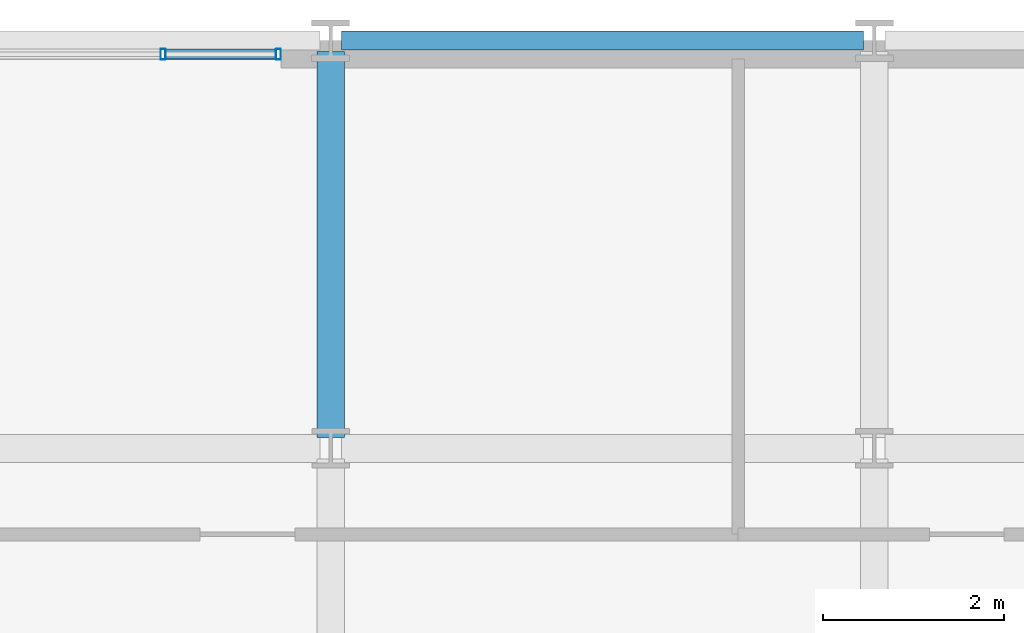
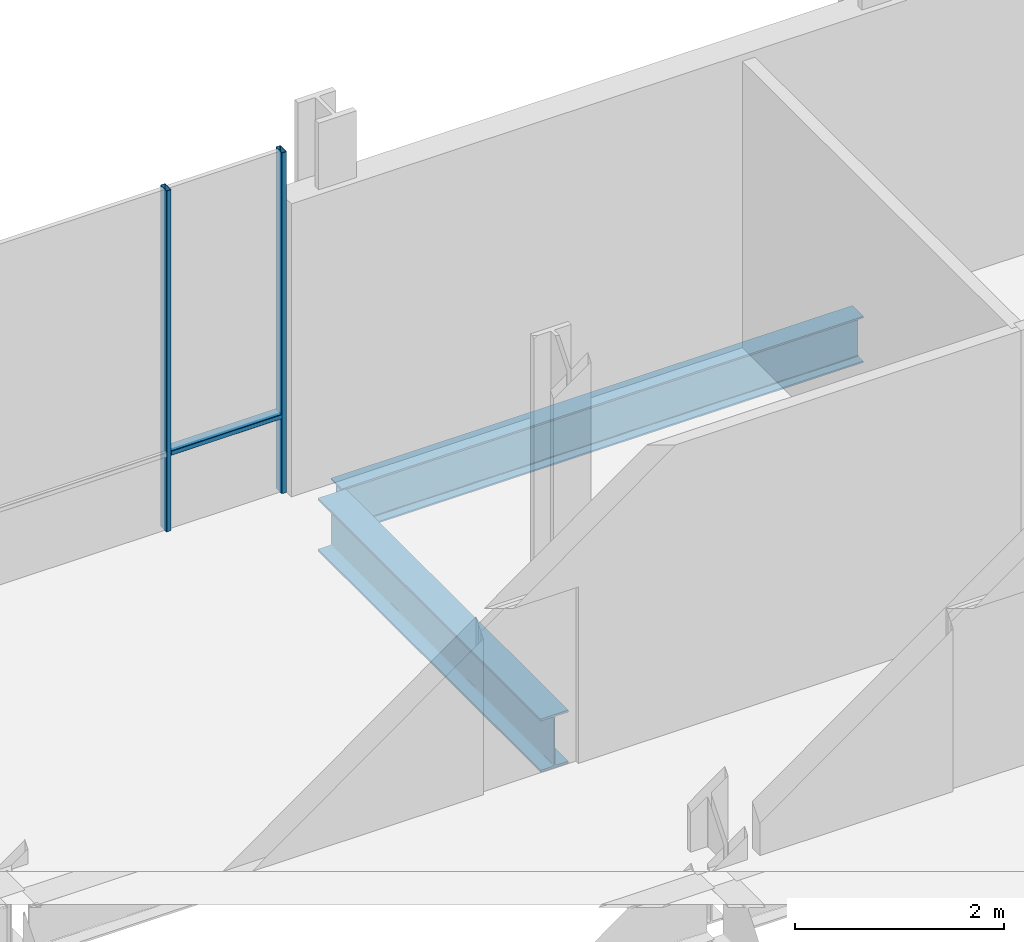
# One storey, part 9 of 32: 3 members, 2 beams, 1 element without a shape of its own.
"""IFC4 building model written with IfcOpenShell, lengths in metres."""

import ifcopenshell
import ifcopenshell.guid

model = None  # the IFC model being written
_history = None  # IfcOwnerHistory: only IFC2X3 demands one
_inside = {}  # id of a spatial element -> (the spatial element, [elements in it])
_under = {}  # id of a project, library or spatial element -> (it, [spatial elements below it])
_declared = {}  # id of a project -> (the project, [libraries it declares])
_typed = {}  # id of a type object -> (the type object, [elements of that type])
_made_of = {}  # id of a material, layer set ... -> (it, [elements and type objects made of it])


def new_model(schema):
    """Start an empty IFC model of exactly this schema.

    Asked for "IFC4X3", IfcOpenShell would pick the latest addendum, in which some entities
    have other attributes; the version numbers below select the first issue.
    IFC2X3 requires an IfcOwnerHistory on every rooted entity: one is made here for all.
    """
    global model, _history
    if schema == "IFC4X3":
        model = ifcopenshell.file(schema_version=(4, 3, 0, 0))
    else:
        model = ifcopenshell.file(schema=schema)
    _inside.clear()
    _under.clear()
    _declared.clear()
    _typed.clear()
    _made_of.clear()
    _history = None
    if model.schema == "IFC2X3":
        org = make("IfcOrganization", Name="unknown")
        user = make(
            "IfcPersonAndOrganization",
            ThePerson=make("IfcPerson", FamilyName="unknown"),
            TheOrganization=org,
        )
        app = make(
            "IfcApplication",
            ApplicationDeveloper=org,
            Version="unknown",
            ApplicationFullName="unknown",
            ApplicationIdentifier="unknown",
        )
        _history = make(
            "IfcOwnerHistory",
            OwningUser=user,
            OwningApplication=app,
            ChangeAction="ADDED",
            CreationDate=0,
        )
    return model


def make(cls, **values):
    """One entity of the class cls with the attributes given. An attribute that is None is left unset."""
    return model.create_entity(
        cls, **{name: value for name, value in values.items() if value is not None}
    )


def rooted(cls, **values):
    """An entity with a GlobalId (a new one), such as an element, a storey or a relation."""
    return make(cls, GlobalId=ifcopenshell.guid.new(), OwnerHistory=_history, **values)


def si_unit(unit_type, name, prefix=None):
    """IfcSIUnit, for example si_unit("LENGTHUNIT", "METRE", prefix="MILLI")."""
    return make("IfcSIUnit", UnitType=unit_type, Prefix=prefix, Name=name)


def assignment(units):
    """IfcUnitAssignment: the units of a project."""
    return None if units is None else make("IfcUnitAssignment", Units=units)


def point(xyz):
    """IfcCartesianPoint."""
    return None if xyz is None else make("IfcCartesianPoint", Coordinates=xyz)


def direction(xyz):
    """IfcDirection."""
    return None if xyz is None else make("IfcDirection", DirectionRatios=xyz)


def frame(location, z_axis=None, x_axis=None):
    """IfcAxis2Placement3D, a coordinate frame: its origin and axes. An axis left out is left unset."""
    return make(
        "IfcAxis2Placement3D",
        Location=point(location),
        Axis=direction(z_axis),
        RefDirection=direction(x_axis),
    )


def frame_2d(location, x_axis=None):
    """IfcAxis2Placement2D, a coordinate frame in the plane: its origin and x axis."""
    return make(
        "IfcAxis2Placement2D", Location=point(location), RefDirection=direction(x_axis)
    )


def origin():
    """The frame at (0, 0, 0) with its axes left unset."""
    return frame((0.0, 0.0, 0.0))


def origin_2d():
    """The frame at (0, 0) in the plane with its x axis left unset."""
    return frame_2d((0.0, 0.0))


def place(relative_to, where):
    """IfcLocalPlacement: puts the frame where relative to a parent placement (None: the world)."""
    return make(
        "IfcLocalPlacement", PlacementRelTo=relative_to, RelativePlacement=where
    )


def context(
    kind, dimensions, precision=None, world=None, true_north=None, identifier=None
):
    """IfcGeometricRepresentationContext, for example the 3D "Model" context."""
    return make(
        "IfcGeometricRepresentationContext",
        ContextIdentifier=identifier,
        ContextType=kind,
        CoordinateSpaceDimension=dimensions,
        Precision=precision,
        WorldCoordinateSystem=world,
        TrueNorth=true_north,
    )


def subcontext(parent, identifier, kind, view, scale=None):
    """IfcGeometricRepresentationSubContext, for example "Body" below "Model"."""
    return make(
        "IfcGeometricRepresentationSubContext",
        ContextIdentifier=identifier,
        ContextType=kind,
        ParentContext=parent,
        TargetScale=scale,
        TargetView=view,
    )


def project(units=None, contexts=None):
    """IfcProject with its units and contexts."""
    return rooted(
        "IfcProject",
        Name="project",
        RepresentationContexts=contexts,
        UnitsInContext=assignment(units),
    )


def spatial(cls, under=None, at=None, **own):
    """A site, building, storey or space (cls), placed at a placement, below another one or the project."""
    s = rooted(cls, ObjectPlacement=at, **own)
    if under is not None:
        _under.setdefault(under.id(), (under, []))[1].append(s)
    return s


def profile(cls, at=None, kind="AREA", **sizes):
    """A parametric profile (cls). Its sizes go by their IFC names, for example OverallWidth=200.0."""
    return make(cls, ProfileType=kind, Position=at, **sizes)


def hollow_rectangle(**sizes):
    """IfcRectangleHollowProfileDef."""
    return profile("IfcRectangleHollowProfileDef", **sizes)


def i_section(**sizes):
    """IfcIShapeProfileDef."""
    return profile("IfcIShapeProfileDef", **sizes)


def extrude(swept, where, along, depth):
    """IfcExtrudedAreaSolid: the profile swept, set in the frame where, extruded along a direction by depth."""
    return make(
        "IfcExtrudedAreaSolid",
        SweptArea=swept,
        Position=where,
        ExtrudedDirection=direction(along),
        Depth=depth,
    )


def shape(context_of_items, identifier, shape_type, items):
    """IfcShapeRepresentation: the items that make up one representation, for example the "Body"."""
    return make(
        "IfcShapeRepresentation",
        ContextOfItems=context_of_items,
        RepresentationIdentifier=identifier,
        RepresentationType=shape_type,
        Items=items,
    )


def material(Name=None, Category=None):
    """IfcMaterial."""
    return make("IfcMaterial", Name=Name, Category=Category)


def layer(
    of_material, thickness, ventilated=None, Name=None, Category=None, Priority=None
):
    """IfcMaterialLayer: one layer of a wall or slab, of a material (None: an air gap)."""
    return make(
        "IfcMaterialLayer",
        Material=of_material,
        LayerThickness=thickness,
        IsVentilated=ventilated,
        Name=Name,
        Category=Category,
        Priority=Priority,
    )


def layer_set(layers, Name=None):
    """IfcMaterialLayerSet."""
    return make("IfcMaterialLayerSet", MaterialLayers=layers, LayerSetName=Name)


def material_profile(
    of_material, cross_section, Name=None, Category=None, Priority=None
):
    """IfcMaterialProfile: a cross section and its material."""
    return make(
        "IfcMaterialProfile",
        Name=Name,
        Material=of_material,
        Profile=cross_section,
        Priority=Priority,
        Category=Category,
    )


def profile_set(profiles, Name=None, composite=None):
    """IfcMaterialProfileSet."""
    return make(
        "IfcMaterialProfileSet",
        Name=Name,
        MaterialProfiles=profiles,
        CompositeProfile=composite,
    )


def made_of(thing, what):
    """Note that an element or type object is made of a material, layer set ...; save() writes the relation."""
    if what is not None:
        _made_of.setdefault(what.id(), (what, []))[1].append(thing)
    return thing


def type_object(cls, material=None, **own):
    """A type object (cls), such as IfcWallType, which elements share."""
    return made_of(rooted(cls, **own), material)


def element(
    cls,
    number,
    at=None,
    inside=None,
    cuts=None,
    type_object=None,
    material=None,
    context=None,
    identifier="Body",
    shape_type=None,
    held_by="IfcProductDefinitionShape",
    body=None,
    shapes=None,
    **own,
):
    """One element of the class cls, such as IfcWall. Its Tag is "e" and its number.

    at: its placement. inside: the storey or other place that contains it. cuts: it is an
    opening in that element (IfcRelVoidsElement). A single representation is given by context,
    identifier, shape_type and body (its items); several are given by shapes. held_by: the class
    of the entity that holds the representations. save() writes the other relations.
    """
    e = rooted(cls, Tag="e%d" % number, ObjectPlacement=at, **own)
    if body is not None:
        shapes = [shape(context, identifier, shape_type, body)]
    if shapes is not None:
        e.Representation = make(held_by, Representations=shapes)
    if inside is not None:
        _inside.setdefault(inside.id(), (inside, []))[1].append(e)
    if cuts is not None:
        rooted(
            "IfcRelVoidsElement", RelatingBuildingElement=cuts, RelatedOpeningElement=e
        )
    if type_object is not None:
        _typed.setdefault(type_object.id(), (type_object, []))[1].append(e)
    return made_of(e, material)


def aggregate(whole, parts):
    """IfcRelAggregates: a whole, such as a stair, and the parts it consists of."""
    return rooted("IfcRelAggregates", RelatingObject=whole, RelatedObjects=parts)


def save(model, path):
    """Write the relations noted so far, then the file.

    IfcRelAggregates (storeys below a building ...), IfcRelContainedInSpatialStructure (elements
    in a storey), IfcRelDefinesByType, IfcRelAssociatesMaterial and IfcRelDeclares: one each for
    every whole, place, type object, material and project.
    """
    for whole, parts in _under.values():
        aggregate(whole, parts)
    for where, things in _inside.values():
        rooted(
            "IfcRelContainedInSpatialStructure",
            RelatedElements=things,
            RelatingStructure=where,
        )
    for kind, things in _typed.values():
        rooted("IfcRelDefinesByType", RelatedObjects=things, RelatingType=kind)
    for what, things in _made_of.values():
        rooted("IfcRelAssociatesMaterial", RelatedObjects=things, RelatingMaterial=what)
    for by, libraries in _declared.values():
        rooted("IfcRelDeclares", RelatingContext=by, RelatedDefinitions=libraries)
    model.write(path)


model = new_model("IFC4")

# Units and contexts
model_context = context("Model", 3, precision=1e-05, world=origin(), true_north=direction((0.0, 1.0)))
body_context = subcontext(model_context, "Body", "Model", "MODEL_VIEW")
ifc_project = project(units=[si_unit("LENGTHUNIT", "METRE"), si_unit("AREAUNIT", "SQUARE_METRE"), si_unit("VOLUMEUNIT", "CUBIC_METRE"), si_unit("PLANEANGLEUNIT", "RADIAN"), si_unit("MASSUNIT", "GRAM", prefix="KILO")], contexts=[model_context])

# Site, building, storey
site_placement = place(None, origin())
site = spatial("IfcSite", under=ifc_project, at=site_placement, CompositionType="ELEMENT")
building_placement = place(site_placement, origin())
building = spatial("IfcBuilding", under=site, at=building_placement, Name="Brevholm Reach", CompositionType="ELEMENT")
storey_placement = place(building_placement, frame((0.0, 0.0, 96.199951171875)))
storey = spatial("IfcBuildingStorey", under=building, at=storey_placement, Name="L28", CompositionType="ELEMENT", Elevation=96.199951171875)

# Beams
ifc_material_1 = material(Name="Structural Steel S355J2", Category="steel")
ifc_material_profile_1 = material_profile(ifc_material_1, i_section(OverallWidth=0.210693359375, OverallDepth=0.53955078125, WebThickness=0.01171875, FlangeThickness=0.018798828125, FilletRadius=0.0126953125, at=origin_2d()), Name="UKB 533x210x109")
ifc_profile_set_1 = profile_set([ifc_material_profile_1], Name="Structural Steel S355J2")
beam_type_1 = type_object("IfcBeamType", Name="BM-SP539", PredefinedType="SPANDREL", material=ifc_profile_set_1)
beam_1_placement = place(storey_placement, frame((12.1201171875, 31.0, -0.52978515625), z_axis=(1.0, 0.0, 0.0), x_axis=(0.0, 1.0, 0.0)))
element("IfcBeam", 1, at=beam_1_placement, inside=storey, type_object=beam_type_1, Name="L28 SP-01B Framing Beam", PredefinedType="SPANDREL", context=body_context, shape_type="SweptSolid", body=[
    extrude(i_section(OverallWidth=0.210693359375, OverallDepth=0.53955078125, WebThickness=0.01171875, FlangeThickness=0.018798828125, FilletRadius=0.0126953125, at=origin_2d()), origin(), (0.0, 0.0, 1.0), 5.759765625),
])
ifc_material_2 = material(Name="Structural Steel S355J2", Category="steel")
ifc_material_profile_2 = material_profile(ifc_material_2, i_section(OverallWidth=0.30712890625, OverallDepth=0.6201171875, WebThickness=0.01416015625, FlangeThickness=0.023681640625, FilletRadius=0.0166015625, at=origin_2d()), Name="UKB 610x305x179")
ifc_profile_set_2 = profile_set([ifc_material_profile_2], Name="Structural Steel S355J2")
beam_type_2 = type_object("IfcBeamType", Name="BM-UKB610H", PredefinedType="USERDEFINED", material=ifc_profile_set_2)
beam_2_placement = place(storey_placement, frame((12.0, 26.6201171875, -0.570068359375), z_axis=(0.0, 1.0, 0.0), x_axis=(-1.0, 0.0, 0.0)))
element("IfcBeam", 2, at=beam_2_placement, inside=storey, type_object=beam_type_2, Name="L28 G-06 Framing Beam", ObjectType="GIRDER", PredefinedType="USERDEFINED", context=body_context, shape_type="SweptSolid", body=[
    extrude(i_section(OverallWidth=0.30712890625, OverallDepth=0.6201171875, WebThickness=0.01416015625, FlangeThickness=0.023681640625, FilletRadius=0.0166015625, at=origin_2d()), origin(), (0.0, 0.0, 1.0), 4.259765625),
])

# Curtain wall, members
ifc_material_3 = material(Name="Dark Anodised Aluminium 6063-T6 and Solar-Control Glass", Category="aluminium")
ifc_layer = layer(ifc_material_3, 0.1201171875)
ifc_layer_set = layer_set([ifc_layer], Name="Dark Anodised Aluminium 6063-T6 and Solar-Control Glass")
curtain_wall_type = type_object("IfcCurtainWallType", Name="CW-06", PredefinedType="NOTDEFINED", material=ifc_layer_set)
curtain_wall_placement = place(storey_placement, origin())
curtain_wall = element("IfcCurtainWall", 3, at=curtain_wall_placement, inside=storey, type_object=curtain_wall_type, Name="L28 Curtain Wall CW-06", PredefinedType="NOTDEFINED")
ifc_material_4 = material(Name="Dark Anodised Aluminium 6063-T6", Category="aluminium")
ifc_material_profile_3 = material_profile(ifc_material_4, hollow_rectangle(XDim=0.054931640625, YDim=0.1201171875, WallThickness=0.00390625, InnerFilletRadius=0.00390625, OuterFilletRadius=0.008056640625, at=origin_2d()), Name="RHS 120x55x4")
ifc_profile_set_3 = profile_set([ifc_material_profile_3], Name="Dark Anodised Aluminium 6063-T6")
member_type_1 = type_object("IfcMemberType", Name="CWM-120", PredefinedType="MULLION", material=ifc_profile_set_3)
member_1_placement = place(storey_placement, frame((10.14990234375, 30.85009765625, 0.0), z_axis=(0.0, 0.0, 1.0), x_axis=(1.0, 0.0, 0.0)))
member_1 = element("IfcMember", 4, at=member_1_placement, type_object=member_type_1, Name="CM-120 Mullion 2", PredefinedType="MULLION", context=body_context, shape_type="SweptSolid", body=[
    extrude(hollow_rectangle(XDim=0.054931640625, YDim=0.1201171875, WallThickness=0.00390625, InnerFilletRadius=0.00390625, OuterFilletRadius=0.008056640625, at=origin_2d()), origin(), (0.0, 0.0, 1.0), 3.97998046875),
])
member_2_placement = place(storey_placement, frame((11.422607421875, 30.85009765625, 0.0), z_axis=(0.0, 0.0, 1.0), x_axis=(1.0, 0.0, 0.0)))
member_2 = element("IfcMember", 5, at=member_2_placement, type_object=member_type_1, Name="CM-120 Mullion 3", PredefinedType="MULLION", context=body_context, shape_type="SweptSolid", body=[
    extrude(hollow_rectangle(XDim=0.054931640625, YDim=0.1201171875, WallThickness=0.00390625, InnerFilletRadius=0.00390625, OuterFilletRadius=0.008056640625, at=origin_2d()), origin(), (0.0, 0.0, 1.0), 3.97998046875),
])
ifc_material_5 = material(Name="Dark Anodised Aluminium 6063-T6", Category="aluminium")
ifc_material_profile_4 = material_profile(ifc_material_5, hollow_rectangle(XDim=0.054931640625, YDim=0.1201171875, WallThickness=0.00390625, InnerFilletRadius=0.00390625, OuterFilletRadius=0.008056640625, at=origin_2d()), Name="RHS 120x55x4")
ifc_profile_set_4 = profile_set([ifc_material_profile_4], Name="Dark Anodised Aluminium 6063-T6")
member_type_2 = type_object("IfcMemberType", Name="CWT-120", PredefinedType="NOTDEFINED", material=ifc_profile_set_4)
member_3_placement = place(storey_placement, frame((10.177490234375, 30.85009765625, 0.900146484375), z_axis=(1.0, 0.0, 0.0), x_axis=(0.0, 0.0, 1.0)))
member_3 = element("IfcMember", 6, at=member_3_placement, type_object=member_type_2, Name="CT-120 Transom 2.1", ObjectType="TRANSOM", PredefinedType="USERDEFINED", context=body_context, shape_type="SweptSolid", body=[
    extrude(hollow_rectangle(XDim=0.054931640625, YDim=0.1201171875, WallThickness=0.00390625, InnerFilletRadius=0.00390625, OuterFilletRadius=0.008056640625, at=origin_2d()), origin(), (0.0, 0.0, 1.0), 1.217529296875),
])
aggregate(curtain_wall, [member_1, member_2, member_3])

save(model, "model.ifc")
